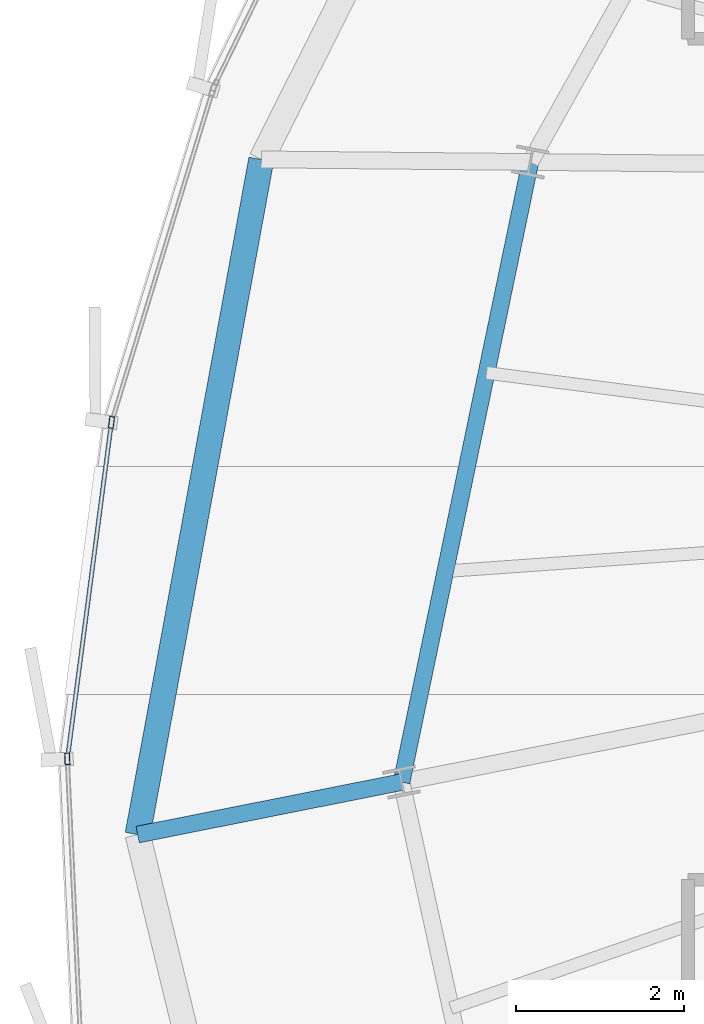
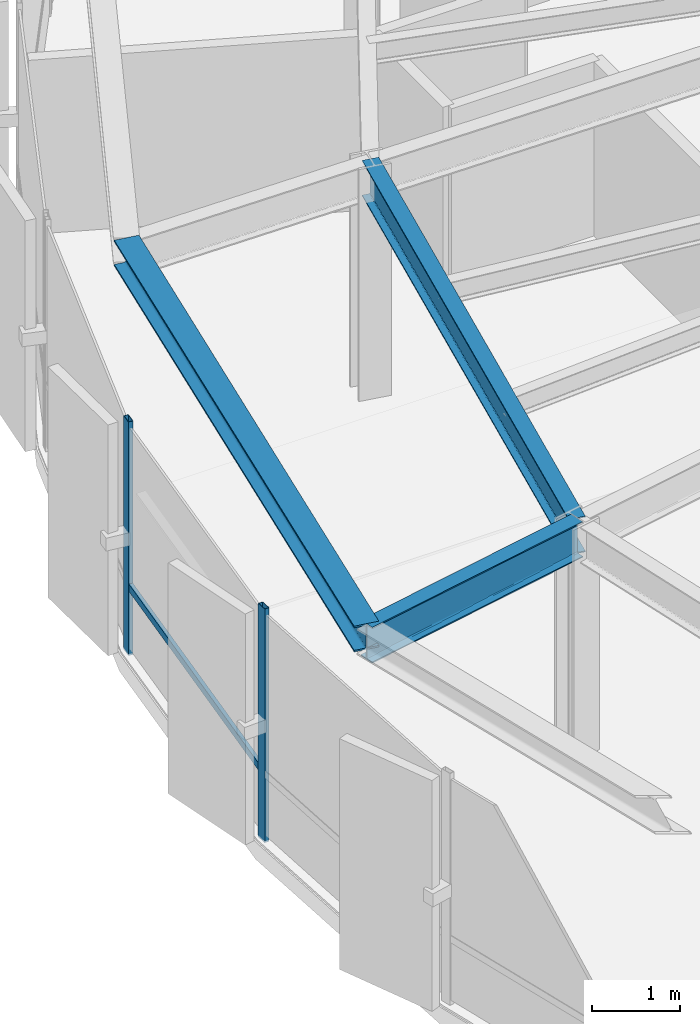
# One storey, part 8 of 34: 3 beams, 3 members, 1 element without a shape of its own.
"""IFC4 building model written with IfcOpenShell, lengths in metres."""

import ifcopenshell
import ifcopenshell.guid

model = None  # the IFC model being written
_history = None  # IfcOwnerHistory: only IFC2X3 demands one
_inside = {}  # id of a spatial element -> (the spatial element, [elements in it])
_under = {}  # id of a project, library or spatial element -> (it, [spatial elements below it])
_declared = {}  # id of a project -> (the project, [libraries it declares])
_typed = {}  # id of a type object -> (the type object, [elements of that type])
_made_of = {}  # id of a material, layer set ... -> (it, [elements and type objects made of it])


def new_model(schema):
    """Start an empty IFC model of exactly this schema.

    Asked for "IFC4X3", IfcOpenShell would pick the latest addendum, in which some entities
    have other attributes; the version numbers below select the first issue.
    IFC2X3 requires an IfcOwnerHistory on every rooted entity: one is made here for all.
    """
    global model, _history
    if schema == "IFC4X3":
        model = ifcopenshell.file(schema_version=(4, 3, 0, 0))
    else:
        model = ifcopenshell.file(schema=schema)
    _inside.clear()
    _under.clear()
    _declared.clear()
    _typed.clear()
    _made_of.clear()
    _history = None
    if model.schema == "IFC2X3":
        org = make("IfcOrganization", Name="unknown")
        user = make(
            "IfcPersonAndOrganization",
            ThePerson=make("IfcPerson", FamilyName="unknown"),
            TheOrganization=org,
        )
        app = make(
            "IfcApplication",
            ApplicationDeveloper=org,
            Version="unknown",
            ApplicationFullName="unknown",
            ApplicationIdentifier="unknown",
        )
        _history = make(
            "IfcOwnerHistory",
            OwningUser=user,
            OwningApplication=app,
            ChangeAction="ADDED",
            CreationDate=0,
        )
    return model


def make(cls, **values):
    """One entity of the class cls with the attributes given. An attribute that is None is left unset."""
    return model.create_entity(
        cls, **{name: value for name, value in values.items() if value is not None}
    )


def rooted(cls, **values):
    """An entity with a GlobalId (a new one), such as an element, a storey or a relation."""
    return make(cls, GlobalId=ifcopenshell.guid.new(), OwnerHistory=_history, **values)


def si_unit(unit_type, name, prefix=None):
    """IfcSIUnit, for example si_unit("LENGTHUNIT", "METRE", prefix="MILLI")."""
    return make("IfcSIUnit", UnitType=unit_type, Prefix=prefix, Name=name)


def assignment(units):
    """IfcUnitAssignment: the units of a project."""
    return None if units is None else make("IfcUnitAssignment", Units=units)


def point(xyz):
    """IfcCartesianPoint."""
    return None if xyz is None else make("IfcCartesianPoint", Coordinates=xyz)


def direction(xyz):
    """IfcDirection."""
    return None if xyz is None else make("IfcDirection", DirectionRatios=xyz)


def frame(location, z_axis=None, x_axis=None):
    """IfcAxis2Placement3D, a coordinate frame: its origin and axes. An axis left out is left unset."""
    return make(
        "IfcAxis2Placement3D",
        Location=point(location),
        Axis=direction(z_axis),
        RefDirection=direction(x_axis),
    )


def frame_2d(location, x_axis=None):
    """IfcAxis2Placement2D, a coordinate frame in the plane: its origin and x axis."""
    return make(
        "IfcAxis2Placement2D", Location=point(location), RefDirection=direction(x_axis)
    )


def origin():
    """The frame at (0, 0, 0) with its axes left unset."""
    return frame((0.0, 0.0, 0.0))


def origin_2d():
    """The frame at (0, 0) in the plane with its x axis left unset."""
    return frame_2d((0.0, 0.0))


def place(relative_to, where):
    """IfcLocalPlacement: puts the frame where relative to a parent placement (None: the world)."""
    return make(
        "IfcLocalPlacement", PlacementRelTo=relative_to, RelativePlacement=where
    )


def context(
    kind, dimensions, precision=None, world=None, true_north=None, identifier=None
):
    """IfcGeometricRepresentationContext, for example the 3D "Model" context."""
    return make(
        "IfcGeometricRepresentationContext",
        ContextIdentifier=identifier,
        ContextType=kind,
        CoordinateSpaceDimension=dimensions,
        Precision=precision,
        WorldCoordinateSystem=world,
        TrueNorth=true_north,
    )


def subcontext(parent, identifier, kind, view, scale=None):
    """IfcGeometricRepresentationSubContext, for example "Body" below "Model"."""
    return make(
        "IfcGeometricRepresentationSubContext",
        ContextIdentifier=identifier,
        ContextType=kind,
        ParentContext=parent,
        TargetScale=scale,
        TargetView=view,
    )


def project(units=None, contexts=None):
    """IfcProject with its units and contexts."""
    return rooted(
        "IfcProject",
        Name="project",
        RepresentationContexts=contexts,
        UnitsInContext=assignment(units),
    )


def spatial(cls, under=None, at=None, **own):
    """A site, building, storey or space (cls), placed at a placement, below another one or the project."""
    s = rooted(cls, ObjectPlacement=at, **own)
    if under is not None:
        _under.setdefault(under.id(), (under, []))[1].append(s)
    return s


def profile(cls, at=None, kind="AREA", **sizes):
    """A parametric profile (cls). Its sizes go by their IFC names, for example OverallWidth=200.0."""
    return make(cls, ProfileType=kind, Position=at, **sizes)


def hollow_rectangle(**sizes):
    """IfcRectangleHollowProfileDef."""
    return profile("IfcRectangleHollowProfileDef", **sizes)


def i_section(**sizes):
    """IfcIShapeProfileDef."""
    return profile("IfcIShapeProfileDef", **sizes)


def extrude(swept, where, along, depth):
    """IfcExtrudedAreaSolid: the profile swept, set in the frame where, extruded along a direction by depth."""
    return make(
        "IfcExtrudedAreaSolid",
        SweptArea=swept,
        Position=where,
        ExtrudedDirection=direction(along),
        Depth=depth,
    )


def shape(context_of_items, identifier, shape_type, items):
    """IfcShapeRepresentation: the items that make up one representation, for example the "Body"."""
    return make(
        "IfcShapeRepresentation",
        ContextOfItems=context_of_items,
        RepresentationIdentifier=identifier,
        RepresentationType=shape_type,
        Items=items,
    )


def source(mapping_origin, context_of_items, identifier, shape_type, items):
    """IfcRepresentationMap: a shape defined once, which mapped items show again and again."""
    return make(
        "IfcRepresentationMap",
        MappingOrigin=mapping_origin,
        MappedRepresentation=shape(context_of_items, identifier, shape_type, items),
    )


def transform(
    local_origin,
    x_axis=None,
    y_axis=None,
    z_axis=None,
    scale=None,
    scale2=None,
    scale3=None,
    uniform=True,
):
    """IfcCartesianTransformationOperator3D, or its non-uniform kind. x_axis, y_axis, z_axis: its Axis1, 2, 3."""
    if uniform:
        return make(
            "IfcCartesianTransformationOperator3D",
            Axis1=direction(x_axis),
            Axis2=direction(y_axis),
            LocalOrigin=point(local_origin),
            Scale=scale,
            Axis3=direction(z_axis),
        )
    return make(
        "IfcCartesianTransformationOperator3DnonUniform",
        Axis1=direction(x_axis),
        Axis2=direction(y_axis),
        LocalOrigin=point(local_origin),
        Scale=scale,
        Axis3=direction(z_axis),
        Scale2=scale2,
        Scale3=scale3,
    )


def mapped(mapping_source, mapping_target):
    """IfcMappedItem: shows the shape of a source again, moved by a transform."""
    return make(
        "IfcMappedItem", MappingSource=mapping_source, MappingTarget=mapping_target
    )


def material(Name=None, Category=None):
    """IfcMaterial."""
    return make("IfcMaterial", Name=Name, Category=Category)


def layer(
    of_material, thickness, ventilated=None, Name=None, Category=None, Priority=None
):
    """IfcMaterialLayer: one layer of a wall or slab, of a material (None: an air gap)."""
    return make(
        "IfcMaterialLayer",
        Material=of_material,
        LayerThickness=thickness,
        IsVentilated=ventilated,
        Name=Name,
        Category=Category,
        Priority=Priority,
    )


def layer_set(layers, Name=None):
    """IfcMaterialLayerSet."""
    return make("IfcMaterialLayerSet", MaterialLayers=layers, LayerSetName=Name)


def material_profile(
    of_material, cross_section, Name=None, Category=None, Priority=None
):
    """IfcMaterialProfile: a cross section and its material."""
    return make(
        "IfcMaterialProfile",
        Name=Name,
        Material=of_material,
        Profile=cross_section,
        Priority=Priority,
        Category=Category,
    )


def profile_set(profiles, Name=None, composite=None):
    """IfcMaterialProfileSet."""
    return make(
        "IfcMaterialProfileSet",
        Name=Name,
        MaterialProfiles=profiles,
        CompositeProfile=composite,
    )


def made_of(thing, what):
    """Note that an element or type object is made of a material, layer set ...; save() writes the relation."""
    if what is not None:
        _made_of.setdefault(what.id(), (what, []))[1].append(thing)
    return thing


def type_object(cls, material=None, **own):
    """A type object (cls), such as IfcWallType, which elements share."""
    return made_of(rooted(cls, **own), material)


def element(
    cls,
    number,
    at=None,
    inside=None,
    cuts=None,
    type_object=None,
    material=None,
    context=None,
    identifier="Body",
    shape_type=None,
    held_by="IfcProductDefinitionShape",
    body=None,
    shapes=None,
    **own,
):
    """One element of the class cls, such as IfcWall. Its Tag is "e" and its number.

    at: its placement. inside: the storey or other place that contains it. cuts: it is an
    opening in that element (IfcRelVoidsElement). A single representation is given by context,
    identifier, shape_type and body (its items); several are given by shapes. held_by: the class
    of the entity that holds the representations. save() writes the other relations.
    """
    e = rooted(cls, Tag="e%d" % number, ObjectPlacement=at, **own)
    if body is not None:
        shapes = [shape(context, identifier, shape_type, body)]
    if shapes is not None:
        e.Representation = make(held_by, Representations=shapes)
    if inside is not None:
        _inside.setdefault(inside.id(), (inside, []))[1].append(e)
    if cuts is not None:
        rooted(
            "IfcRelVoidsElement", RelatingBuildingElement=cuts, RelatedOpeningElement=e
        )
    if type_object is not None:
        _typed.setdefault(type_object.id(), (type_object, []))[1].append(e)
    return made_of(e, material)


def aggregate(whole, parts):
    """IfcRelAggregates: a whole, such as a stair, and the parts it consists of."""
    return rooted("IfcRelAggregates", RelatingObject=whole, RelatedObjects=parts)


def save(model, path):
    """Write the relations noted so far, then the file.

    IfcRelAggregates (storeys below a building ...), IfcRelContainedInSpatialStructure (elements
    in a storey), IfcRelDefinesByType, IfcRelAssociatesMaterial and IfcRelDeclares: one each for
    every whole, place, type object, material and project.
    """
    for whole, parts in _under.values():
        aggregate(whole, parts)
    for where, things in _inside.values():
        rooted(
            "IfcRelContainedInSpatialStructure",
            RelatedElements=things,
            RelatingStructure=where,
        )
    for kind, things in _typed.values():
        rooted("IfcRelDefinesByType", RelatedObjects=things, RelatingType=kind)
    for what, things in _made_of.values():
        rooted("IfcRelAssociatesMaterial", RelatedObjects=things, RelatingMaterial=what)
    for by, libraries in _declared.values():
        rooted("IfcRelDeclares", RelatingContext=by, RelatedDefinitions=libraries)
    model.write(path)


model = new_model("IFC4")

# Units and contexts
model_context = context("Model", 3, precision=1e-05, world=origin(), true_north=direction((0.0, 1.0)))
body_context = subcontext(model_context, "Body", "Model", "MODEL_VIEW")
ifc_project = project(units=[si_unit("LENGTHUNIT", "METRE"), si_unit("AREAUNIT", "SQUARE_METRE"), si_unit("VOLUMEUNIT", "CUBIC_METRE"), si_unit("PLANEANGLEUNIT", "RADIAN"), si_unit("MASSUNIT", "GRAM", prefix="KILO"), si_unit("THERMODYNAMICTEMPERATUREUNIT", "KELVIN")], contexts=[model_context])

# Site, building, storey
site_placement = place(None, origin())
site = spatial("IfcSite", under=ifc_project, at=site_placement, CompositionType="ELEMENT")
building_placement = place(site_placement, origin())
building = spatial("IfcBuilding", under=site, at=building_placement, Name="Kethvar Cultural Tower", CompositionType="ELEMENT")
storey_placement = place(building_placement, frame((0.0, 0.0, 207.89990234375)))
storey = spatial("IfcBuildingStorey", under=building, at=storey_placement, Name="L54", CompositionType="ELEMENT", Elevation=207.89990234375)

# Beams
ifc_material_1 = material(Name="Steel S355J2", Category="steel")
ifc_material_profile_1 = material_profile(ifc_material_1, i_section(OverallWidth=0.199951171875, OverallDepth=0.5, WebThickness=0.01025390625, FlangeThickness=0.01611328125, FilletRadius=0.02099609375, at=origin_2d()), Name="Steel S355J2 — IPE500")
ifc_profile_set_1 = profile_set([ifc_material_profile_1], Name="Steel S355J2 — IPE500")
beam_type_1 = type_object("IfcBeamType", Name="BM-IPE500", PredefinedType="BEAM", material=ifc_profile_set_1)
shared_shape_1 = source(origin(), body_context, "Body", "SweptSolid", [
    extrude(i_section(OverallWidth=0.199951171875, OverallDepth=0.5, WebThickness=0.01025390625, FlangeThickness=0.01611328125, FilletRadius=0.02099609375, at=origin_2d()), origin(), (0.0, 0.0, 1.0), 3.199951171875),
])
beam_1_placement = place(storey_placement, frame((27.492919921875, 23.959716796875, 3.008056640625), z_axis=(-0.980770949178, -0.195162356126, 0.0), x_axis=(0.195162356126, -0.980770949178, 0.0)))
element("IfcBeam", 1, at=beam_1_placement, inside=storey, type_object=beam_type_1, Name="L54 Perimeter Cantilever Beam RC-09", PredefinedType="BEAM", context=body_context, shape_type="MappedRepresentation", body=[
    mapped(shared_shape_1, transform((0.0, 0.0, 0.0), scale=1.0)),
])
shared_shape_2 = source(origin(), body_context, "Body", "SweptSolid", [
    extrude(i_section(OverallWidth=0.199951171875, OverallDepth=0.5, WebThickness=0.01025390625, FlangeThickness=0.01611328125, FilletRadius=0.02099609375, at=origin_2d()), origin(), (0.0, 0.0, 1.0), 7.533447265625),
])
beam_2_placement = place(storey_placement, frame((29.02490234375, 31.335693359375, 3.008056640625), z_axis=(-0.203358905185, -0.979104261906, 0.0), x_axis=(0.979104261906, -0.203358905185, 0.0)))
element("IfcBeam", 2, at=beam_2_placement, inside=storey, type_object=beam_type_1, Name="L54 Column Ring Tie Beam CR-08", PredefinedType="BEAM", context=body_context, shape_type="MappedRepresentation", body=[
    mapped(shared_shape_2, transform((0.0, 0.0, 0.0), scale=1.0)),
])
ifc_material_profile_2 = material_profile(ifc_material_1, i_section(OverallWidth=0.300048828125, OverallDepth=0.360107421875, WebThickness=0.012451171875, FlangeThickness=0.0224609375, FilletRadius=0.027099609375, at=origin_2d()), Name="Steel S355J2 — HEB360")
ifc_profile_set_2 = profile_set([ifc_material_profile_2], Name="Steel S355J2 — HEB360")
beam_type_2 = type_object("IfcBeamType", Name="BM-SP360", PredefinedType="SPANDREL", material=ifc_profile_set_2)
shared_shape_3 = source(origin(), body_context, "Body", "SweptSolid", [
    extrude(i_section(OverallWidth=0.300048828125, OverallDepth=0.360107421875, WebThickness=0.012451171875, FlangeThickness=0.0224609375, FilletRadius=0.027099609375, at=origin_2d()), origin(), (0.0, 0.0, 1.0), 8.16455078125),
])
beam_3_placement = place(storey_placement, frame((25.824951171875, 31.3662109375, 3.078125), z_axis=(-0.180103654572, -0.983647636916, 0.0), x_axis=(0.983647636916, -0.180103654572, 0.0)))
element("IfcBeam", 3, at=beam_3_placement, inside=storey, type_object=beam_type_2, Name="L54 Perimeter Spandrel Beam SP-08", PredefinedType="SPANDREL", context=body_context, shape_type="MappedRepresentation", body=[
    mapped(shared_shape_3, transform((0.0, 0.0, 0.0), scale=1.0)),
])

# Curtain wall, members
ifc_material_2 = material(Name="Aluminium 6063-T6", Category="aluminium")
ifc_layer = layer(ifc_material_2, 0.179931640625, Name="Aluminium 6063-T6", Category="aluminium")
ifc_layer_set = layer_set([ifc_layer], Name="Aluminium 6063-T6 (180 mm)")
curtain_wall_type = type_object("IfcCurtainWallType", Name="CW-SYS-04-Z34", PredefinedType="NOTDEFINED", material=ifc_layer_set)
curtain_wall_placement = place(storey_placement, origin())
curtain_wall = element("IfcCurtainWall", 4, at=curtain_wall_placement, inside=storey, type_object=curtain_wall_type, Name="L54 Curtain Wall Run 03", PredefinedType="NOTDEFINED")
ifc_material_profile_3 = material_profile(ifc_material_2, hollow_rectangle(XDim=0.06005859375, YDim=0.139892578125, WallThickness=0.0048828125, at=origin_2d()), Name="Aluminium 6063-T6 — RHS140x60x5")
ifc_profile_set_3 = profile_set([ifc_material_profile_3], Name="Aluminium 6063-T6 — RHS140x60x5")
member_type_1 = type_object("IfcMemberType", Name="CW-SYS-04-Z34-MUL", PredefinedType="MULLION", material=ifc_profile_set_3)
shared_shape_4 = source(origin(), body_context, "Body", "SweptSolid", [
    extrude(hollow_rectangle(XDim=0.06005859375, YDim=0.139892578125, WallThickness=0.0048828125, at=origin_2d()), origin(), (0.0, 0.0, 1.0), 3.260009765625),
])
member_1_placement = place(storey_placement, frame((24.04296875, 28.23779296875, 0.0), z_axis=(0.0, 0.0, 1.0), x_axis=(0.991547070608, -0.129747473069, 0.0)))
member_1 = element("IfcMember", 5, at=member_1_placement, type_object=member_type_1, Name="CW-L54-R03 Mullion 2", PredefinedType="MULLION", context=body_context, shape_type="MappedRepresentation", body=[
    mapped(shared_shape_4, transform((0.0, 0.0, 0.0), scale=1.0)),
])
member_2_placement = place(storey_placement, frame((23.517333984375, 24.2353515625, 0.0), z_axis=(0.0, 0.0, 1.0), x_axis=(0.998891518679, 0.047071582847, 0.0)))
member_2 = element("IfcMember", 6, at=member_2_placement, type_object=member_type_1, Name="CW-L54-R03 Mullion 3", PredefinedType="MULLION", context=body_context, shape_type="MappedRepresentation", body=[
    mapped(shared_shape_4, transform((0.0, 0.0, 0.0), scale=1.0)),
])
ifc_material_profile_4 = material_profile(ifc_material_2, hollow_rectangle(XDim=0.050048828125, YDim=0.10009765625, WallThickness=0.00390625, at=origin_2d()), Name="Aluminium 6063-T6 — RHS100x50x4")
ifc_profile_set_4 = profile_set([ifc_material_profile_4], Name="Aluminium 6063-T6 — RHS100x50x4")
member_type_2 = type_object("IfcMemberType", Name="CW-SYS-04-Z34-TRN", PredefinedType="USERDEFINED", material=ifc_profile_set_4)
shared_shape_5 = source(origin(), body_context, "Body", "SweptSolid", [
    extrude(hollow_rectangle(XDim=0.050048828125, YDim=0.10009765625, WallThickness=0.00390625, at=origin_2d()), origin(), (0.0, 0.0, 1.0), 3.9697265625),
])
member_3_placement = place(storey_placement, frame((24.037353515625, 28.195068359375, 0.9501953125), z_axis=(-0.129762462333, -0.991545109095, 0.0), x_axis=(0.991545109095, -0.129762462333, 0.0)))
member_3 = element("IfcMember", 7, at=member_3_placement, type_object=member_type_2, Name="CW-L54-R03 Transom 2", ObjectType="TRANSOM", PredefinedType="USERDEFINED", context=body_context, shape_type="MappedRepresentation", body=[
    mapped(shared_shape_5, transform((0.0, 0.0, 0.0), scale=1.0)),
])
aggregate(curtain_wall, [member_1, member_2, member_3])

save(model, "model.ifc")
